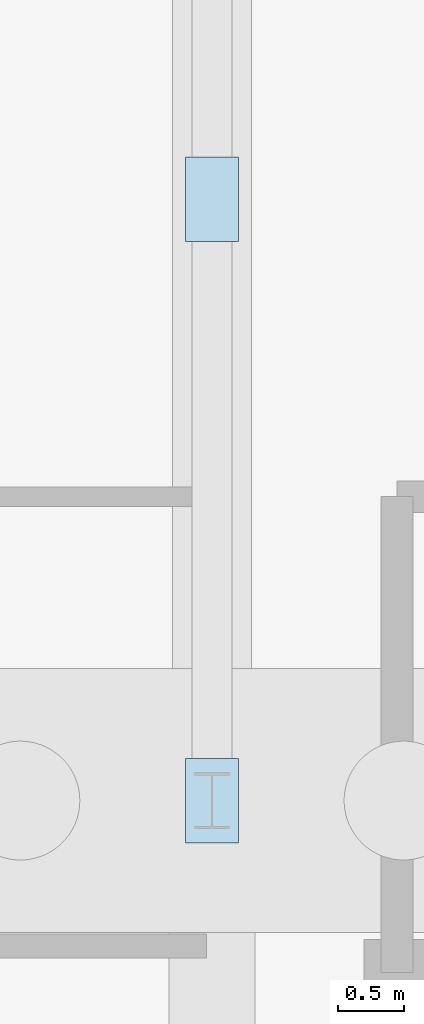
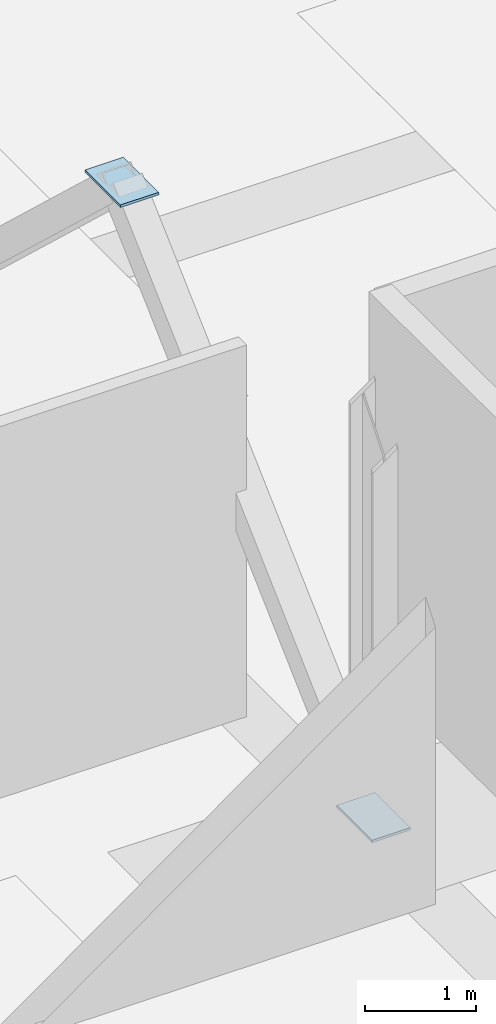
# One storey, part 76 of 119: 2 plates.
"""IFC4 building model written with IfcOpenShell, lengths in metres."""

from ifc_helpers import new_model, si_unit, derived_unit, direction, frame, origin, origin_2d, place, context, subcontext, project, spatial, rectangle, extrude, material, layer, layer_set, type_object, element, save


model = new_model("IFC4")

# Units and contexts
model_context = context("Model", 3, precision=1e-05, world=origin(), true_north=direction((0.0, 1.0)))
body_context = subcontext(model_context, "Body", "Model", "MODEL_VIEW")
ifc_project = project(units=[si_unit("LENGTHUNIT", "METRE"), si_unit("AREAUNIT", "SQUARE_METRE"), si_unit("VOLUMEUNIT", "CUBIC_METRE"), si_unit("PLANEANGLEUNIT", "RADIAN"), si_unit("MASSUNIT", "GRAM", prefix="KILO"), derived_unit("THERMALTRANSMITTANCEUNIT", [(si_unit("MASSUNIT", "GRAM", prefix="KILO"), 1), (si_unit("TIMEUNIT", "SECOND"), -3), (si_unit("THERMODYNAMICTEMPERATUREUNIT", "KELVIN"), -1)])], contexts=[model_context])

# Site, building, storey
site_placement = place(None, origin())
site = spatial("IfcSite", under=ifc_project, at=site_placement, CompositionType="ELEMENT")
building_placement = place(site_placement, origin())
building = spatial("IfcBuilding", under=site, at=building_placement, Name="Makaiwela Harbour Ferry Terminal", CompositionType="ELEMENT")
storey_placement = place(building_placement, origin())
storey = spatial("IfcBuildingStorey", under=building, at=storey_placement, Name="L00", CompositionType="ELEMENT", Elevation=0.0)

# Plates
ifc_material = material(Name="Steel ASTM A572 Grade 50", Category="steel")
ifc_layer = layer(ifc_material, 0.028076171875)
ifc_layer_set = layer_set([ifc_layer], Name="Steel ASTM A572 Grade 50")
plate_type = type_object("IfcPlateType", Name="STR-PLT-GUS3", PredefinedType="USERDEFINED", material=ifc_layer_set)
for number, where, z_axis, x_axis, name in (
    (1, (138.60009765625, 63.050048828125, 4.45947265625), (0.0, 0.0, 1.0), (0.0, 1.0, 0.0), "Truss Gusset Plate GP-124"),
    (2, (138.60009765625, 58.5, 0.2060546875), (0.0, 0.0, 1.0), (0.0, 1.0, 0.0), "Truss Gusset Plate GP-125"),
):
    element("IfcPlate", number, at=place(storey_placement, frame(where, z_axis=z_axis, x_axis=x_axis)), inside=storey, type_object=plate_type, Name=name, ObjectType="GUSSET PLATE", PredefinedType="USERDEFINED", context=body_context, shape_type="SweptSolid", body=[
        extrude(rectangle(XDim=0.639892578125, YDim=0.39990234375, at=origin_2d()), origin(), (0.0, 0.0, 1.0), 0.028076171875),
    ])

save(model, "model.ifc")
